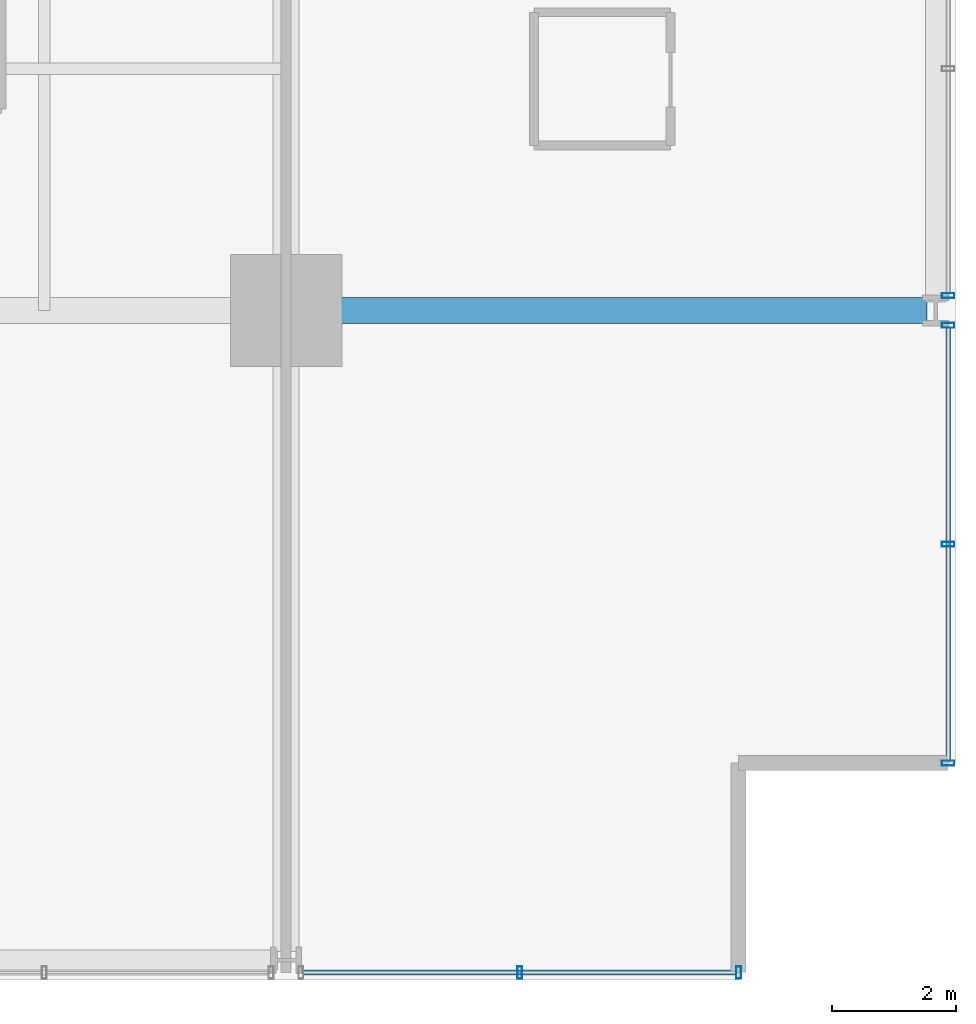
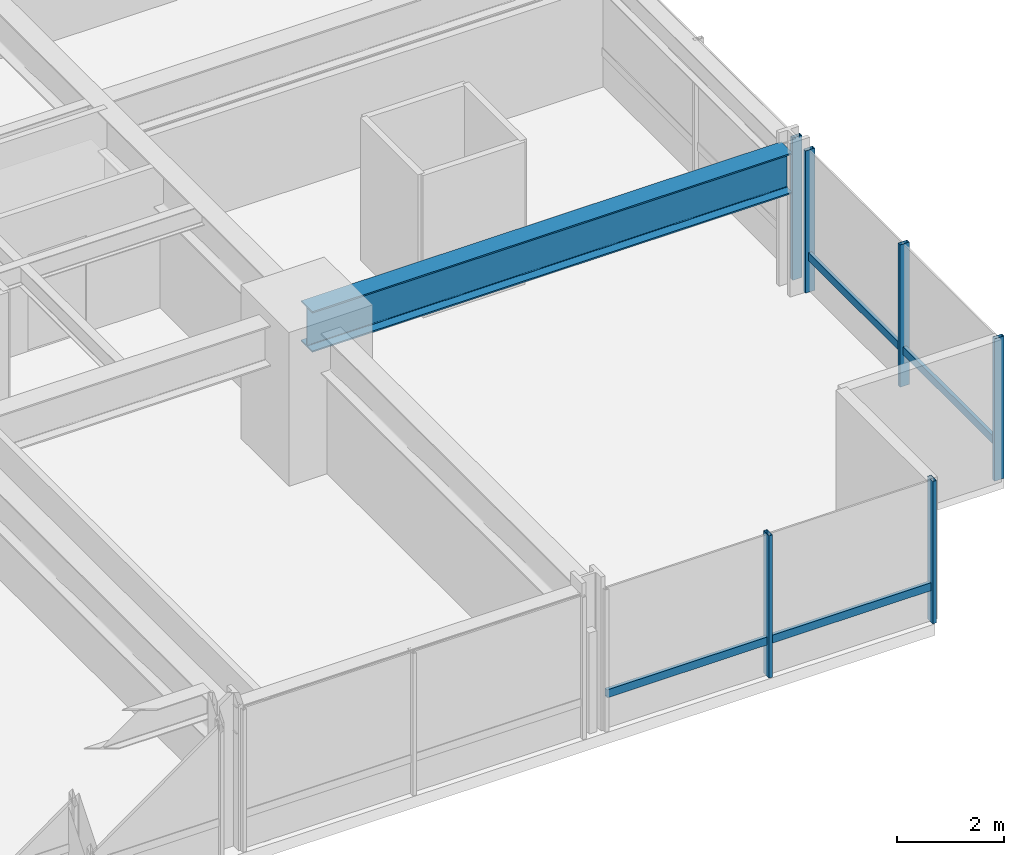
# One storey, part 13 of 38: 8 members, 1 beam, 3 elements without a shape of their own.
"""IFC4 building model written with IfcOpenShell, lengths in metres."""

from ifc_helpers import new_model, si_unit, direction, frame, origin, origin_2d, place, context, subcontext, project, spatial, hollow_rectangle, i_section, extrude, material, layer, layer_set, material_profile, profile_set, type_object, element, aggregate, save


model = new_model("IFC4")

# Units and contexts
model_context = context("Model", 3, precision=1e-05, world=origin(), true_north=direction((0.0, 1.0)))
body_context = subcontext(model_context, "Body", "Model", "MODEL_VIEW")
ifc_project = project(units=[si_unit("LENGTHUNIT", "METRE"), si_unit("AREAUNIT", "SQUARE_METRE"), si_unit("VOLUMEUNIT", "CUBIC_METRE"), si_unit("PLANEANGLEUNIT", "RADIAN"), si_unit("MASSUNIT", "GRAM", prefix="KILO")], contexts=[model_context])

# Site, building, storey
site_placement = place(None, origin())
site = spatial("IfcSite", under=ifc_project, at=site_placement, CompositionType="ELEMENT")
building_placement = place(site_placement, origin())
building = spatial("IfcBuilding", under=site, at=building_placement, Name="Drelvath Grand Hotel", CompositionType="ELEMENT")
storey_placement = place(building_placement, frame((0.0, 0.0, 57.699951171875)))
storey = spatial("IfcBuildingStorey", under=building, at=storey_placement, Name="L13", CompositionType="ELEMENT", Elevation=57.699951171875)

# Curtain wall, member
ifc_material_1 = material(Name="Warm Bronze Anodised Aluminium Frame", Category="aluminium")
ifc_layer = layer(ifc_material_1, 0.199951171875)
ifc_layer_set = layer_set([ifc_layer], Name="Warm Bronze Anodised Aluminium Frame")
curtain_wall_type = type_object("IfcCurtainWallType", Name="Stick Curtain Wall CW-02 Warm Bronze Low-Rise", PredefinedType="NOTDEFINED", material=ifc_layer_set)
curtain_wall_1_placement = place(storey_placement, origin())
curtain_wall_1 = element("IfcCurtainWall", 1, at=curtain_wall_1_placement, inside=storey, type_object=curtain_wall_type, Name="L13 CW-02 Curtain Wall CW02-L13-ES1", PredefinedType="NOTDEFINED")
ifc_material_profile_1 = material_profile(ifc_material_1, hollow_rectangle(XDim=0.074951171875, YDim=0.179931640625, WallThickness=0.0048828125, at=origin_2d()), Name="HSS180X75X5")
ifc_profile_set_1 = profile_set([ifc_material_profile_1], Name="Warm Bronze Anodised Aluminium Frame")
member_type_1 = type_object("IfcMemberType", Name="Curtain Wall Horizontal Transom CW-02 HSS180X75X5", PredefinedType="USERDEFINED", material=ifc_profile_set_1)
member_1_placement = place(storey_placement, frame((26.8798828125, 10.51904296875, 0.81005859375), z_axis=(0.0, -1.0, 0.0), x_axis=(1.0, 0.0, 0.0)))
member_1 = element("IfcMember", 2, at=member_1_placement, type_object=member_type_1, Name="CW02-L13-ES1 Sill Transom", ObjectType="TRANSOM", PredefinedType="USERDEFINED", context=body_context, shape_type="SweptSolid", body=[
    extrude(hollow_rectangle(XDim=0.074951171875, YDim=0.179931640625, WallThickness=0.0048828125, at=origin_2d()), origin(), (0.0, 0.0, 1.0), 6.97900390625),
])

curtain_wall_2_placement = place(storey_placement, origin())
curtain_wall_2 = element("IfcCurtainWall", 3, at=curtain_wall_2_placement, inside=storey, type_object=curtain_wall_type, Name="L13 CW-02 Curtain Wall CW02-L13-SE3", PredefinedType="NOTDEFINED")
member_2_placement = place(storey_placement, frame((23.4599609375, 0.1201171875, 0.81005859375), z_axis=(-1.0, 0.0, 0.0), x_axis=(0.0, -1.0, 0.0)))
member_2 = element("IfcMember", 4, at=member_2_placement, type_object=member_type_1, Name="CW02-L13-SE3 Sill Transom", ObjectType="TRANSOM", PredefinedType="USERDEFINED", context=body_context, shape_type="SweptSolid", body=[
    extrude(hollow_rectangle(XDim=0.074951171875, YDim=0.179931640625, WallThickness=0.0048828125, at=origin_2d()), origin(), (0.0, 0.0, 1.0), 6.97900390625),
])

# Member
ifc_material_profile_2 = material_profile(ifc_material_1, hollow_rectangle(XDim=0.080078125, YDim=0.199951171875, WallThickness=0.0048828125, at=origin_2d()), Name="HSS200X80X5")
ifc_profile_set_2 = profile_set([ifc_material_profile_2], Name="Warm Bronze Anodised Aluminium Frame")
member_type_2 = type_object("IfcMemberType", Name="Curtain Wall Vertical Mullion CW-02 HSS200X80X5", PredefinedType="MULLION", material=ifc_profile_set_2)
member_3_placement = place(storey_placement, frame((26.8798828125, 10.55908203125, 0.0), z_axis=(0.0, 0.0, 1.0), x_axis=(0.0, 1.0, 0.0)))
member_3 = element("IfcMember", 5, at=member_3_placement, type_object=member_type_2, Name="CW02-L13-ES1 Mullion 1", PredefinedType="MULLION", context=body_context, shape_type="SweptSolid", body=[
    extrude(hollow_rectangle(XDim=0.080078125, YDim=0.199951171875, WallThickness=0.0048828125, at=origin_2d()), origin(), (0.0, 0.0, 1.0), 3.239990234375),
])

member_4_placement = place(storey_placement, frame((26.8798828125, 7.029541015625, 0.0), z_axis=(0.0, 0.0, 1.0), x_axis=(0.0, 1.0, 0.0)))
member_4 = element("IfcMember", 6, at=member_4_placement, type_object=member_type_2, Name="CW02-L13-ES1 Mullion 2", PredefinedType="MULLION", context=body_context, shape_type="SweptSolid", body=[
    extrude(hollow_rectangle(XDim=0.080078125, YDim=0.199951171875, WallThickness=0.0048828125, at=origin_2d()), origin(), (0.0, 0.0, 1.0), 3.239990234375),
])

member_5_placement = place(storey_placement, frame((26.8798828125, 3.5, 0.0), z_axis=(0.0, 0.0, 1.0), x_axis=(0.0, 1.0, 0.0)))
member_5 = element("IfcMember", 7, at=member_5_placement, type_object=member_type_2, Name="CW02-L13-ES1 Mullion 3", PredefinedType="MULLION", context=body_context, shape_type="SweptSolid", body=[
    extrude(hollow_rectangle(XDim=0.080078125, YDim=0.199951171875, WallThickness=0.0048828125, at=origin_2d()), origin(), (0.0, 0.0, 1.0), 3.239990234375),
])

aggregate(curtain_wall_1, [member_3, member_4, member_5, member_1])

# Curtain wall, member
curtain_wall_3_placement = place(storey_placement, origin())
curtain_wall_3 = element("IfcCurtainWall", 8, at=curtain_wall_3_placement, inside=storey, type_object=curtain_wall_type, Name="L13 CW-02 Curtain Wall CW02-L13-ES2", PredefinedType="NOTDEFINED")
member_6_placement = place(storey_placement, frame((26.8798828125, 11.041015625, 0.0), z_axis=(0.0, 0.0, 1.0), x_axis=(0.0, 1.0, 0.0)))
member_6 = element("IfcMember", 9, at=member_6_placement, type_object=member_type_2, Name="CW02-L13-ES2 Mullion 3", PredefinedType="MULLION", context=body_context, shape_type="SweptSolid", body=[
    extrude(hollow_rectangle(XDim=0.080078125, YDim=0.199951171875, WallThickness=0.0048828125, at=origin_2d()), origin(), (0.0, 0.0, 1.0), 3.239990234375),
])
aggregate(curtain_wall_3, [member_6])

# Member
member_7_placement = place(storey_placement, frame((23.5, 0.1201171875, 0.0), z_axis=(0.0, 0.0, 1.0), x_axis=(1.0, 0.0, 0.0)))
member_7 = element("IfcMember", 10, at=member_7_placement, type_object=member_type_2, Name="CW02-L13-SE3 Mullion 1", PredefinedType="MULLION", context=body_context, shape_type="SweptSolid", body=[
    extrude(hollow_rectangle(XDim=0.080078125, YDim=0.199951171875, WallThickness=0.0048828125, at=origin_2d()), origin(), (0.0, 0.0, 1.0), 3.239990234375),
])

member_8_placement = place(storey_placement, frame((19.970458984375, 0.1201171875, 0.0), z_axis=(0.0, 0.0, 1.0), x_axis=(1.0, 0.0, 0.0)))
member_8 = element("IfcMember", 11, at=member_8_placement, type_object=member_type_2, Name="CW02-L13-SE3 Mullion 2", PredefinedType="MULLION", context=body_context, shape_type="SweptSolid", body=[
    extrude(hollow_rectangle(XDim=0.080078125, YDim=0.199951171875, WallThickness=0.0048828125, at=origin_2d()), origin(), (0.0, 0.0, 1.0), 3.239990234375),
])

aggregate(curtain_wall_2, [member_7, member_8, member_2])

# Beam
ifc_material_2 = material(Name="Steel ASTM A992 Gr 50", Category="steel")
ifc_material_profile_3 = material_profile(ifc_material_2, i_section(OverallWidth=0.418212890625, OverallDepth=0.926513671875, WebThickness=0.019287109375, FlangeThickness=0.031982421875, FilletRadius=0.028076171875, at=origin_2d()), Name="W36X231")
ifc_profile_set_3 = profile_set([ifc_material_profile_3], Name="Steel ASTM A992 Gr 50")
beam_type = type_object("IfcBeamType", Name="Primary Floor Girder W36X231", PredefinedType="BEAM", material=ifc_profile_set_3)
beam_placement = place(storey_placement, frame((16.199951171875, 10.800048828125, 2.77685546875), z_axis=(1.0, 0.0, 0.0), x_axis=(0.0, 1.0, 0.0)))
element("IfcBeam", 12, at=beam_placement, inside=storey, type_object=beam_type, Name="L13 East Grid Girder C", PredefinedType="BEAM", context=body_context, shape_type="SweptSolid", body=[
    extrude(i_section(OverallWidth=0.418212890625, OverallDepth=0.926513671875, WebThickness=0.019287109375, FlangeThickness=0.031982421875, FilletRadius=0.028076171875, at=origin_2d()), origin(), (0.0, 0.0, 1.0), 10.340087890625),
])

save(model, "model.ifc")
